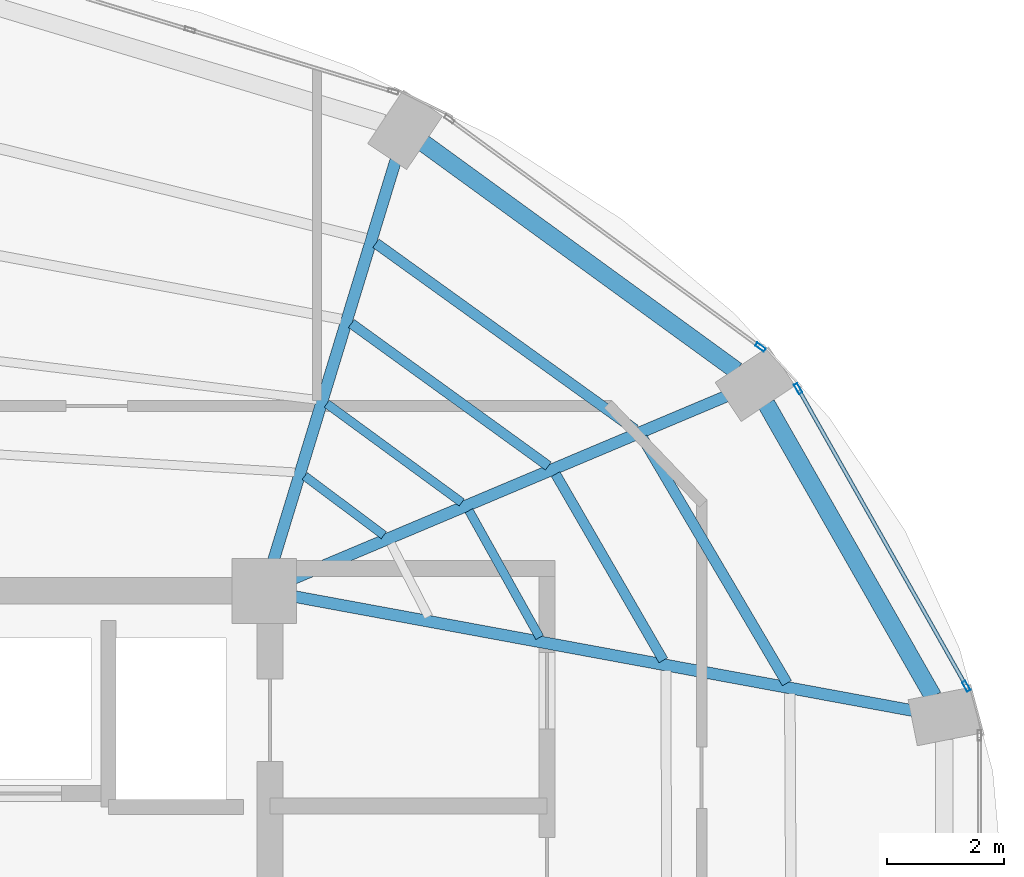
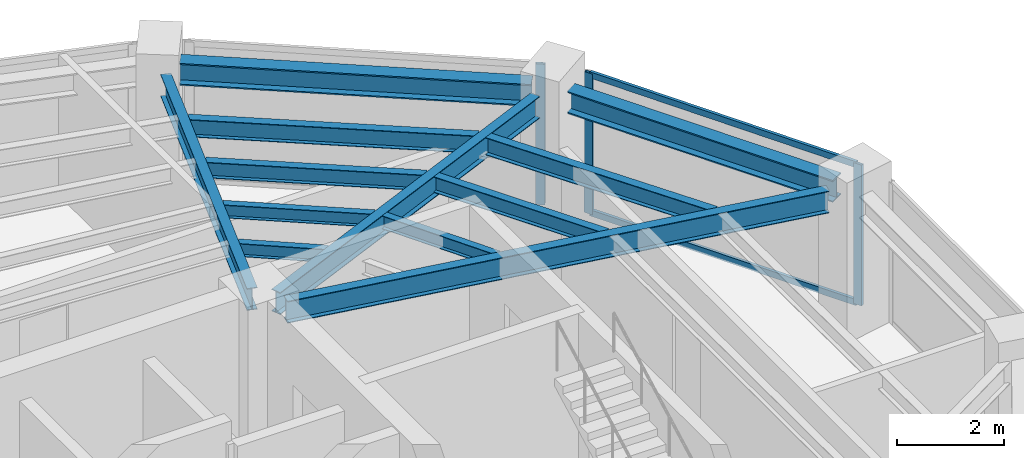
# One storey, part 15 of 22: 12 beams, 5 members, 2 elements without a shape of their own.
"""IFC4 building model written with IfcOpenShell, lengths in metres."""

from ifc_helpers import new_model, si_unit, direction, frame, origin, origin_2d, place, context, subcontext, project, spatial, hollow_rectangle, i_section, extrude, material, layer, layer_set, material_profile, profile_set, type_object, element, aggregate, save


model = new_model("IFC4")

# Units and contexts
model_context = context("Model", 3, precision=1e-05, world=origin(), true_north=direction((0.0, 1.0)))
body_context = subcontext(model_context, "Body", "Model", "MODEL_VIEW")
ifc_project = project(units=[si_unit("LENGTHUNIT", "METRE"), si_unit("AREAUNIT", "SQUARE_METRE"), si_unit("VOLUMEUNIT", "CUBIC_METRE"), si_unit("PLANEANGLEUNIT", "RADIAN"), si_unit("MASSUNIT", "GRAM", prefix="KILO")], contexts=[model_context])

# Site, building, storey
site_placement = place(None, origin())
site = spatial("IfcSite", under=ifc_project, at=site_placement, CompositionType="ELEMENT")
building_placement = place(site_placement, origin())
building = spatial("IfcBuilding", under=site, at=building_placement, Name="Lazwardi Medical Tower", CompositionType="ELEMENT")
storey_placement = place(building_placement, frame((0.0, 0.0, 242.256103515625)))
storey = spatial("IfcBuildingStorey", under=building, at=storey_placement, Name="L63", CompositionType="ELEMENT", Elevation=242.256103515625)

# Beams
ifc_material_1 = material(Name="Steel S355", Category="steel")
ifc_material_profile_1 = material_profile(ifc_material_1, i_section(OverallWidth=0.300048828125, OverallDepth=0.5, WebThickness=0.014404296875, FlangeThickness=0.028076171875, at=origin_2d()), Name="HEB 500")
ifc_profile_set_1 = profile_set([ifc_material_profile_1], Name="Steel S355")
beam_type_1 = type_object("IfcBeamType", Name="BM-RB-Z4", PredefinedType="BEAM", material=ifc_profile_set_1)
beam_1_placement = place(storey_placement, frame((56.991943359375, 33.8017578125, 2.947998046875), z_axis=(-0.495125273299, 0.868821594886, 0.0), x_axis=(-0.868821594886, -0.495125273299, 0.0)))
element("IfcBeam", 1, at=beam_1_placement, inside=storey, type_object=beam_type_1, Name="Ring beam RB-05 B05 L63", PredefinedType="BEAM", context=body_context, shape_type="SweptSolid", body=[
    extrude(i_section(OverallWidth=0.300048828125, OverallDepth=0.5, WebThickness=0.014404296875, FlangeThickness=0.028076171875, at=origin_2d()), origin(), (0.0, 0.0, 1.0), 5.734130859375),
])
beam_2_placement = place(storey_placement, frame((53.644287109375, 39.351806640625, 2.947998046875), z_axis=(-0.808889916254, 0.587960120571, 0.0), x_axis=(-0.587960120571, -0.808889916254, 0.0)))
element("IfcBeam", 2, at=beam_2_placement, inside=storey, type_object=beam_type_1, Name="Ring beam RB-05 B06 L63", PredefinedType="BEAM", context=body_context, shape_type="SweptSolid", body=[
    extrude(i_section(OverallWidth=0.300048828125, OverallDepth=0.5, WebThickness=0.014404296875, FlangeThickness=0.028076171875, at=origin_2d()), origin(), (0.0, 0.0, 1.0), 6.587158203125),
])
ifc_material_profile_2 = material_profile(ifc_material_1, i_section(OverallWidth=0.199951171875, OverallDepth=0.5, WebThickness=0.01025390625, FlangeThickness=0.01611328125, at=origin_2d()), Name="IPE 500")
ifc_profile_set_2 = profile_set([ifc_material_profile_2], Name="Steel S355")
beam_type_2 = type_object("IfcBeamType", Name="BM-RG-W3", PredefinedType="BEAM", material=ifc_profile_set_2)
beam_3_placement = place(storey_placement, frame((56.658935546875, 33.56005859375, 2.947998046875), z_axis=(-0.983409341459, 0.181400295288, 0.0), x_axis=(-0.181400295288, -0.983409341459, 0.0)))
element("IfcBeam", 3, at=beam_3_placement, inside=storey, type_object=beam_type_2, Name="Radial girder RG-04 R05 L63", PredefinedType="BEAM", context=body_context, shape_type="SweptSolid", body=[
    extrude(i_section(OverallWidth=0.199951171875, OverallDepth=0.5, WebThickness=0.01025390625, FlangeThickness=0.01611328125, at=origin_2d()), origin(), (0.0, 0.0, 1.0), 10.71044921875),
])
beam_4_placement = place(storey_placement, frame((53.466796875, 38.914794921875, 2.947998046875), z_axis=(-0.921526791352, -0.388314785735, 0.0), x_axis=(0.388314785735, -0.921526791352, 0.0)))
element("IfcBeam", 4, at=beam_4_placement, inside=storey, type_object=beam_type_2, Name="Radial girder RG-04 R06 L63", PredefinedType="BEAM", context=body_context, shape_type="SweptSolid", body=[
    extrude(i_section(OverallWidth=0.199951171875, OverallDepth=0.5, WebThickness=0.01025390625, FlangeThickness=0.01611328125, at=origin_2d()), origin(), (0.0, 0.0, 1.0), 8.001708984375),
])
beam_5_placement = place(storey_placement, frame((47.843994140625, 42.9423828125, 2.947998046875), z_axis=(-0.292276716539, -0.956333791607, 0.0), x_axis=(0.956333791607, -0.292276716539, 0.0)))
element("IfcBeam", 5, at=beam_5_placement, inside=storey, type_object=beam_type_2, Name="Radial girder RG-04 R07 L63", PredefinedType="BEAM", context=body_context, shape_type="SweptSolid", body=[
    extrude(i_section(OverallWidth=0.199951171875, OverallDepth=0.5, WebThickness=0.01025390625, FlangeThickness=0.01611328125, at=origin_2d()), origin(), (0.0, 0.0, 1.0), 7.142822265625),
])
ifc_material_profile_3 = material_profile(ifc_material_1, i_section(OverallWidth=0.179931640625, OverallDepth=0.39990234375, WebThickness=0.008544921875, FlangeThickness=0.013427734375, at=origin_2d()), Name="IPE 400")
ifc_profile_set_3 = profile_set([ifc_material_profile_3], Name="Steel S355")
beam_type_3 = type_object("IfcBeamType", Name="BM-SJ-01", PredefinedType="JOIST", material=ifc_profile_set_3)
beam_6_placement = place(storey_placement, frame((54.504150390625, 34.030517578125, 2.997802734375), z_axis=(-0.507710311367, 0.861527851977, 0.0), x_axis=(-0.861527851977, -0.507710311367, 0.0)))
element("IfcBeam", 6, at=beam_6_placement, inside=storey, type_object=beam_type_3, Name="Secondary joist SJ-01 R1 B05 L63", PredefinedType="JOIST", context=body_context, shape_type="SweptSolid", body=[
    extrude(i_section(OverallWidth=0.179931640625, OverallDepth=0.39990234375, WebThickness=0.008544921875, FlangeThickness=0.013427734375, at=origin_2d()), origin(), (0.0, 0.0, 1.0), 4.852783203125),
])
beam_7_placement = place(storey_placement, frame((51.914794921875, 38.348876953125, 2.997802734375), z_axis=(-0.811889581337, 0.58381102055, 0.0), x_axis=(-0.58381102055, -0.811889581337, 0.0)))
element("IfcBeam", 7, at=beam_7_placement, inside=storey, type_object=beam_type_3, Name="Secondary joist SJ-01 R1 B06 L63", PredefinedType="JOIST", context=body_context, shape_type="SweptSolid", body=[
    extrude(i_section(OverallWidth=0.179931640625, OverallDepth=0.39990234375, WebThickness=0.008544921875, FlangeThickness=0.013427734375, at=origin_2d()), origin(), (0.0, 0.0, 1.0), 5.433349609375),
])
ifc_material_profile_4 = material_profile(ifc_material_1, i_section(OverallWidth=0.169921875, OverallDepth=0.360107421875, WebThickness=0.008056640625, FlangeThickness=0.0126953125, at=origin_2d()), Name="IPE 360")
ifc_profile_set_4 = profile_set([ifc_material_profile_4], Name="Steel S355")
beam_type_4 = type_object("IfcBeamType", Name="BM-SJ-02", PredefinedType="JOIST", material=ifc_profile_set_4)
beam_8_placement = place(storey_placement, frame((52.398193359375, 34.41943359375, 3.017822265625), z_axis=(-0.500655179543, 0.865646805109, 0.0), x_axis=(-0.865646805109, -0.500655179543, 0.0)))
element("IfcBeam", 8, at=beam_8_placement, inside=storey, type_object=beam_type_4, Name="Secondary joist SJ-02 R2 B05 L63", PredefinedType="JOIST", context=body_context, shape_type="SweptSolid", body=[
    extrude(i_section(OverallWidth=0.169921875, OverallDepth=0.360107421875, WebThickness=0.008056640625, FlangeThickness=0.0126953125, at=origin_2d()), origin(), (0.0, 0.0, 1.0), 3.662109375),
])
beam_9_placement = place(storey_placement, frame((50.440185546875, 37.7275390625, 3.017822265625), z_axis=(-0.810164229155, 0.586202969796, 0.0), x_axis=(-0.586202969796, -0.810164229155, 0.0)))
element("IfcBeam", 9, at=beam_9_placement, inside=storey, type_object=beam_type_4, Name="Secondary joist SJ-02 R2 B06 L63", PredefinedType="JOIST", context=body_context, shape_type="SweptSolid", body=[
    extrude(i_section(OverallWidth=0.169921875, OverallDepth=0.360107421875, WebThickness=0.008056640625, FlangeThickness=0.0126953125, at=origin_2d()), origin(), (0.0, 0.0, 1.0), 4.14013671875),
])
ifc_material_profile_5 = material_profile(ifc_material_1, i_section(OverallWidth=0.14990234375, OverallDepth=0.300048828125, WebThickness=0.007080078125, FlangeThickness=0.0107421875, at=origin_2d()), Name="IPE 300")
ifc_profile_set_5 = profile_set([ifc_material_profile_5], Name="Steel S355")
beam_type_5 = type_object("IfcBeamType", Name="BM-SJ-03", PredefinedType="JOIST", material=ifc_profile_set_5)
beam_10_placement = place(storey_placement, frame((50.29296875, 34.80859375, 3.0478515625), z_axis=(-0.487092942089, 0.873350139272, 0.0), x_axis=(-0.873350139272, -0.487092942089, 0.0)))
element("IfcBeam", 10, at=beam_10_placement, inside=storey, type_object=beam_type_5, Name="Secondary joist SJ-03 R3 B05 L63", PredefinedType="JOIST", context=body_context, shape_type="SweptSolid", body=[
    extrude(i_section(OverallWidth=0.14990234375, OverallDepth=0.300048828125, WebThickness=0.007080078125, FlangeThickness=0.0107421875, at=origin_2d()), origin(), (0.0, 0.0, 1.0), 2.471923828125),
])
beam_11_placement = place(storey_placement, frame((48.9658203125, 37.106689453125, 3.0478515625), z_axis=(-0.80703431267, 0.59050454543, 0.0), x_axis=(-0.59050454543, -0.80703431267, 0.0)))
element("IfcBeam", 11, at=beam_11_placement, inside=storey, type_object=beam_type_5, Name="Secondary joist SJ-03 R3 B06 L63", PredefinedType="JOIST", context=body_context, shape_type="SweptSolid", body=[
    extrude(i_section(OverallWidth=0.14990234375, OverallDepth=0.300048828125, WebThickness=0.007080078125, FlangeThickness=0.0107421875, at=origin_2d()), origin(), (0.0, 0.0, 1.0), 2.846923828125),
])
beam_12_placement = place(storey_placement, frame((47.63916015625, 36.548095703125, 3.0478515625), z_axis=(-0.800365301971, 0.599512621553, 0.0), x_axis=(-0.599512621553, -0.800365301971, 0.0)))
element("IfcBeam", 12, at=beam_12_placement, inside=storey, type_object=beam_type_5, Name="Secondary joist SJ-03 R4 B06 L63", PredefinedType="JOIST", context=body_context, shape_type="SweptSolid", body=[
    extrude(i_section(OverallWidth=0.14990234375, OverallDepth=0.300048828125, WebThickness=0.007080078125, FlangeThickness=0.0107421875, at=origin_2d()), origin(), (0.0, 0.0, 1.0), 1.68359375),
])

# Curtain wall, members
ifc_material_2 = material(Name="Anodised bronze aluminium and solar control glazing", Category="aluminium")
ifc_layer = layer(ifc_material_2, 0.18994140625)
ifc_layer_set = layer_set([ifc_layer], Name="Anodised bronze aluminium and solar control glazing")
curtain_wall_type = type_object("IfcCurtainWallType", Name="CW-SYS-04", PredefinedType="NOTDEFINED", material=ifc_layer_set)
curtain_wall_1_placement = place(storey_placement, origin())
curtain_wall_1 = element("IfcCurtainWall", 13, at=curtain_wall_1_placement, inside=storey, type_object=curtain_wall_type, Name="L63 Unitised bronze curtain wall CW-04", PredefinedType="NOTDEFINED")
ifc_material_3 = material(Name="Anodised bronze aluminium", Category="aluminium")
ifc_material_profile_6 = material_profile(ifc_material_3, hollow_rectangle(XDim=0.06494140625, YDim=0.179931640625, WallThickness=0.00390625, at=origin_2d()), Name="ALU-MULLION 180x65x4")
ifc_profile_set_6 = profile_set([ifc_material_profile_6], Name="Anodised bronze aluminium")
member_type_1 = type_object("IfcMemberType", Name="CW-MUL-03", PredefinedType="MULLION", material=ifc_profile_set_6)
member_1_placement = place(storey_placement, frame((57.557373046875, 33.978271484375, 0.0), z_axis=(0.0, 0.0, 1.0), x_axis=(-0.870651436011, -0.491900474661, 0.0)))
member_1 = element("IfcMember", 14, at=member_1_placement, type_object=member_type_1, Name="CW-04 mullion 1", PredefinedType="MULLION", context=body_context, shape_type="SweptSolid", body=[
    extrude(hollow_rectangle(XDim=0.06494140625, YDim=0.179931640625, WallThickness=0.00390625, at=origin_2d()), origin(), (0.0, 0.0, 1.0), 3.197998046875),
])
member_2_placement = place(storey_placement, frame((54.6943359375, 39.04541015625, 0.0), z_axis=(0.0, 0.0, 1.0), x_axis=(-0.870651436011, -0.491900474661, 0.0)))
member_2 = element("IfcMember", 15, at=member_2_placement, type_object=member_type_1, Name="CW-04 mullion 2", PredefinedType="MULLION", context=body_context, shape_type="SweptSolid", body=[
    extrude(hollow_rectangle(XDim=0.06494140625, YDim=0.179931640625, WallThickness=0.00390625, at=origin_2d()), origin(), (0.0, 0.0, 1.0), 3.197998046875),
])

# Curtain wall, member
curtain_wall_2_placement = place(storey_placement, origin())
curtain_wall_2 = element("IfcCurtainWall", 16, at=curtain_wall_2_placement, inside=storey, type_object=curtain_wall_type, Name="L63 Unitised bronze curtain wall CW-04", PredefinedType="NOTDEFINED")
member_3_placement = place(storey_placement, frame((54.052001953125, 39.751708984375, 0.0), z_axis=(0.0, 0.0, 1.0), x_axis=(-0.591268230971, -0.806474971121, 0.0)))
member_3 = element("IfcMember", 17, at=member_3_placement, type_object=member_type_1, Name="CW-04 mullion 1", PredefinedType="MULLION", context=body_context, shape_type="SweptSolid", body=[
    extrude(hollow_rectangle(XDim=0.06494140625, YDim=0.179931640625, WallThickness=0.00390625, at=origin_2d()), origin(), (0.0, 0.0, 1.0), 3.197998046875),
])
aggregate(curtain_wall_2, [member_3])

# Member
ifc_material_profile_7 = material_profile(ifc_material_3, hollow_rectangle(XDim=0.06494140625, YDim=0.139892578125, WallThickness=0.00341796875, at=origin_2d()), Name="ALU-TRANSOM 140x65x3.5")
ifc_profile_set_7 = profile_set([ifc_material_profile_7], Name="Anodised bronze aluminium")
member_type_2 = type_object("IfcMemberType", Name="CW-TRN-03", PredefinedType="USERDEFINED", material=ifc_profile_set_7)
member_4_placement = place(storey_placement, frame((57.541259765625, 34.006591796875, 0.032470703125), z_axis=(-0.491897887635, 0.870652897623, 0.0), x_axis=(-0.870652897623, -0.491897887635, 0.0)))
member_4 = element("IfcMember", 18, at=member_4_placement, type_object=member_type_2, Name="CW-04 transom 1.1", ObjectType="TRANSOM", PredefinedType="USERDEFINED", context=body_context, shape_type="SweptSolid", body=[
    extrude(hollow_rectangle(XDim=0.06494140625, YDim=0.139892578125, WallThickness=0.00341796875, at=origin_2d()), origin(), (0.0, 0.0, 1.0), 5.7548828125),
])

member_5_placement = place(storey_placement, frame((57.541259765625, 34.006591796875, 3.165283203125), z_axis=(-0.491897887635, 0.870652897623, 0.0), x_axis=(-0.870652897623, -0.491897887635, 0.0)))
member_5 = element("IfcMember", 19, at=member_5_placement, type_object=member_type_2, Name="CW-04 transom 1.2", ObjectType="TRANSOM", PredefinedType="USERDEFINED", context=body_context, shape_type="SweptSolid", body=[
    extrude(hollow_rectangle(XDim=0.06494140625, YDim=0.139892578125, WallThickness=0.00341796875, at=origin_2d()), origin(), (0.0, 0.0, 1.0), 5.7548828125),
])

aggregate(curtain_wall_1, [member_1, member_2, member_4, member_5])

save(model, "model.ifc")
